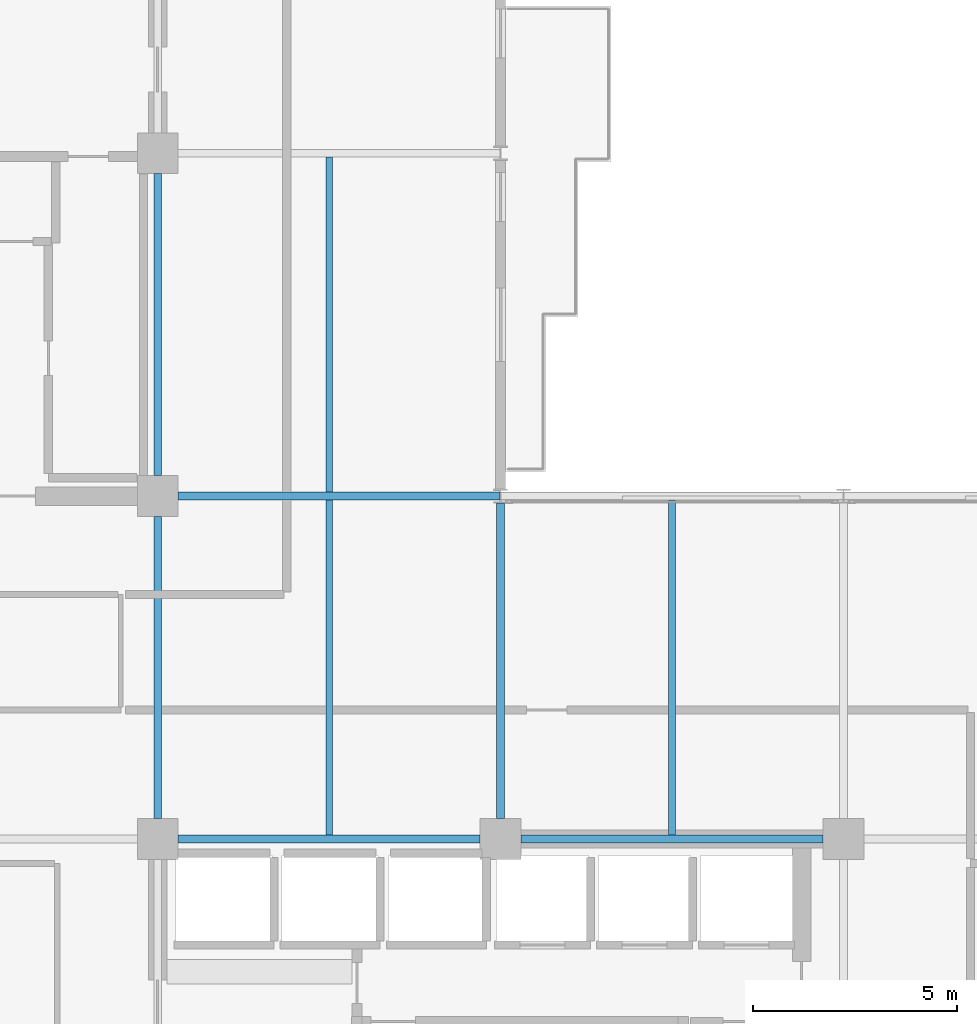
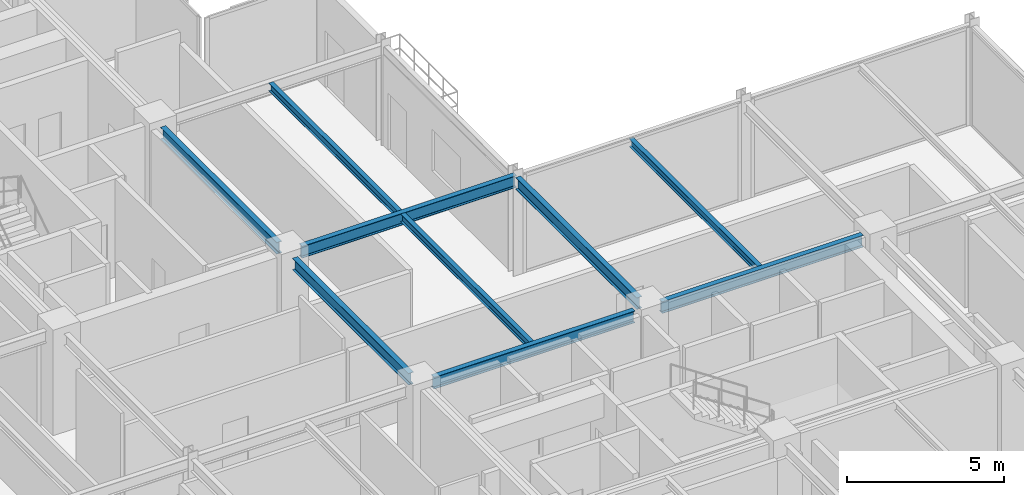
# One storey, part 11 of 25: 9 beams.
"""IFC4 building model written with IfcOpenShell, lengths in metres."""

from ifc_helpers import new_model, si_unit, direction, frame, origin, origin_2d, place, context, subcontext, project, spatial, i_section, extrude, material, material_profile, profile_set, type_object, element, save


model = new_model("IFC4")

# Units and contexts
model_context = context("Model", 3, precision=1e-05, world=origin(), true_north=direction((0.0, 1.0)))
body_context = subcontext(model_context, "Body", "Model", "MODEL_VIEW")
ifc_project = project(units=[si_unit("LENGTHUNIT", "METRE"), si_unit("AREAUNIT", "SQUARE_METRE"), si_unit("VOLUMEUNIT", "CUBIC_METRE"), si_unit("PLANEANGLEUNIT", "RADIAN"), si_unit("MASSUNIT", "GRAM", prefix="KILO")], contexts=[model_context])

# Site, building, storey
site_placement = place(None, origin())
site = spatial("IfcSite", under=ifc_project, at=site_placement, CompositionType="ELEMENT")
building_placement = place(site_placement, origin())
building = spatial("IfcBuilding", under=site, at=building_placement, Name="Nerrivon Quay Data Exchange", CompositionType="ELEMENT")
storey_placement = place(building_placement, frame((0.0, 0.0, 224.699951171875)))
storey = spatial("IfcBuildingStorey", under=building, at=storey_placement, Name="L53", CompositionType="ELEMENT", Elevation=224.699951171875)

# Beams
ifc_material = material(Name="Steel Grade 350", Category="steel")
ifc_material_profile_1 = material_profile(ifc_material, i_section(OverallWidth=0.19091796875, OverallDepth=0.4599609375, WebThickness=0.010009765625, FlangeThickness=0.01611328125, FilletRadius=0.011474609375, at=origin_2d()), Name="460UB82.1")
ifc_profile_set_1 = profile_set([ifc_material_profile_1], Name="Steel Grade 350")
beam_type_1 = type_object("IfcBeamType", Name="BM-G5-460UB82", PredefinedType="BEAM", material=ifc_profile_set_1)
beam_1_placement = place(storey_placement, frame((17.300048828125, 16.800048828125, 3.594970703125), z_axis=(1.0, 0.0, 0.0), x_axis=(0.0, 1.0, 0.0)))
element("IfcBeam", 1, at=beam_1_placement, inside=storey, type_object=beam_type_1, Name="L53 EW Girder Y=16.8 (16.8..25.2)", PredefinedType="BEAM", context=body_context, shape_type="SweptSolid", body=[
    extrude(i_section(OverallWidth=0.19091796875, OverallDepth=0.4599609375, WebThickness=0.010009765625, FlangeThickness=0.01611328125, FilletRadius=0.011474609375, at=origin_2d()), origin(), (0.0, 0.0, 1.0), 7.39990234375),
])
beam_2_placement = place(storey_placement, frame((25.699951171875, 16.800048828125, 3.594970703125), z_axis=(1.0, 0.0, 0.0), x_axis=(0.0, 1.0, 0.0)))
element("IfcBeam", 2, at=beam_2_placement, inside=storey, type_object=beam_type_1, Name="L53 EW Girder Y=16.8 (25.2..33.6)", PredefinedType="BEAM", context=body_context, shape_type="SweptSolid", body=[
    extrude(i_section(OverallWidth=0.19091796875, OverallDepth=0.4599609375, WebThickness=0.010009765625, FlangeThickness=0.01611328125, FilletRadius=0.011474609375, at=origin_2d()), origin(), (0.0, 0.0, 1.0), 7.400146484375),
])
beam_3_placement = place(storey_placement, frame((17.300048828125, 25.199951171875, 3.594970703125), z_axis=(1.0, 0.0, 0.0), x_axis=(0.0, 1.0, 0.0)))
element("IfcBeam", 3, at=beam_3_placement, inside=storey, type_object=beam_type_1, Name="L53 EW Girder Y=25.2 (16.8..25.2)", PredefinedType="BEAM", context=body_context, shape_type="SweptSolid", body=[
    extrude(i_section(OverallWidth=0.19091796875, OverallDepth=0.4599609375, WebThickness=0.010009765625, FlangeThickness=0.01611328125, FilletRadius=0.011474609375, at=origin_2d()), origin(), (0.0, 0.0, 1.0), 7.889892578125),
])
ifc_material_profile_2 = material_profile(ifc_material, i_section(OverallWidth=0.18994140625, OverallDepth=0.4541015625, WebThickness=0.008544921875, FlangeThickness=0.0126953125, FilletRadius=0.011474609375, at=origin_2d()), Name="460UB67.1")
ifc_profile_set_2 = profile_set([ifc_material_profile_2], Name="Steel Grade 350")
beam_type_2 = type_object("IfcBeamType", Name="BM-G6-460UB67", PredefinedType="BEAM", material=ifc_profile_set_2)
beam_4_placement = place(storey_placement, frame((16.800048828125, 17.300048828125, 3.59814453125), z_axis=(0.0, 1.0, 0.0), x_axis=(-1.0, 0.0, 0.0)))
element("IfcBeam", 4, at=beam_4_placement, inside=storey, type_object=beam_type_2, Name="L53 NS Girder X=16.8 (16.8..25.2)", PredefinedType="BEAM", context=body_context, shape_type="SweptSolid", body=[
    extrude(i_section(OverallWidth=0.18994140625, OverallDepth=0.4541015625, WebThickness=0.008544921875, FlangeThickness=0.0126953125, FilletRadius=0.011474609375, at=origin_2d()), origin(), (0.0, 0.0, 1.0), 7.39990234375),
])
beam_5_placement = place(storey_placement, frame((16.800048828125, 25.699951171875, 3.59814453125), z_axis=(0.0, 1.0, 0.0), x_axis=(-1.0, 0.0, 0.0)))
element("IfcBeam", 5, at=beam_5_placement, inside=storey, type_object=beam_type_2, Name="L53 NS Girder X=16.8 (25.2..33.6)", PredefinedType="BEAM", context=body_context, shape_type="SweptSolid", body=[
    extrude(i_section(OverallWidth=0.18994140625, OverallDepth=0.4541015625, WebThickness=0.008544921875, FlangeThickness=0.0126953125, FilletRadius=0.011474609375, at=origin_2d()), origin(), (0.0, 0.0, 1.0), 7.400146484375),
])
beam_6_placement = place(storey_placement, frame((25.199951171875, 17.300048828125, 3.59814453125), z_axis=(0.0, 1.0, 0.0), x_axis=(-1.0, 0.0, 0.0)))
element("IfcBeam", 6, at=beam_6_placement, inside=storey, type_object=beam_type_2, Name="L53 NS Girder X=25.2 (16.8..25.2)", PredefinedType="BEAM", context=body_context, shape_type="SweptSolid", body=[
    extrude(i_section(OverallWidth=0.18994140625, OverallDepth=0.4541015625, WebThickness=0.008544921875, FlangeThickness=0.0126953125, FilletRadius=0.011474609375, at=origin_2d()), origin(), (0.0, 0.0, 1.0), 7.724853515625),
])
ifc_material_profile_3 = material_profile(ifc_material, i_section(OverallWidth=0.166015625, OverallDepth=0.306884765625, WebThickness=0.006591796875, FlangeThickness=0.01171875, FilletRadius=0.011474609375, at=origin_2d()), Name="310UB46.2")
ifc_profile_set_3 = profile_set([ifc_material_profile_3], Name="Steel Grade 350")
beam_type_3 = type_object("IfcBeamType", Name="BM-J5-310UB46", PredefinedType="JOIST", material=ifc_profile_set_3)
for number, where, z_axis, x_axis, name in (
    (7, (21.0, 16.8955078125, 3.671630859375), (0.0, 1.0, 0.0), (-1.0, 0.0, 0.0), "L53 Secondary Joist X=21.0 (16.8..25.2)"),
    (8, (21.0, 25.29541015625, 3.671630859375), (0.0, 1.0, 0.0), (-1.0, 0.0, 0.0), "L53 Secondary Joist X=21.0 (25.2..33.6)"),
):
    element("IfcBeam", number, at=place(storey_placement, frame(where, z_axis=z_axis, x_axis=x_axis)), inside=storey, type_object=beam_type_3, Name=name, PredefinedType="JOIST", context=body_context, shape_type="SweptSolid", body=[
        extrude(i_section(OverallWidth=0.166015625, OverallDepth=0.306884765625, WebThickness=0.006591796875, FlangeThickness=0.01171875, FilletRadius=0.011474609375, at=origin_2d()), origin(), (0.0, 0.0, 1.0), 8.208984375),
    ])
beam_7_placement = place(storey_placement, frame((29.39990234375, 16.8955078125, 3.671630859375), z_axis=(0.0, 1.0, 0.0), x_axis=(-1.0, 0.0, 0.0)))
element("IfcBeam", 9, at=beam_7_placement, inside=storey, type_object=beam_type_3, Name="L53 Secondary Joist X=29.4 (16.8..25.2)", PredefinedType="JOIST", context=body_context, shape_type="SweptSolid", body=[
    extrude(i_section(OverallWidth=0.166015625, OverallDepth=0.306884765625, WebThickness=0.006591796875, FlangeThickness=0.01171875, FilletRadius=0.011474609375, at=origin_2d()), origin(), (0.0, 0.0, 1.0), 8.20458984375),
])

save(model, "model.ifc")
